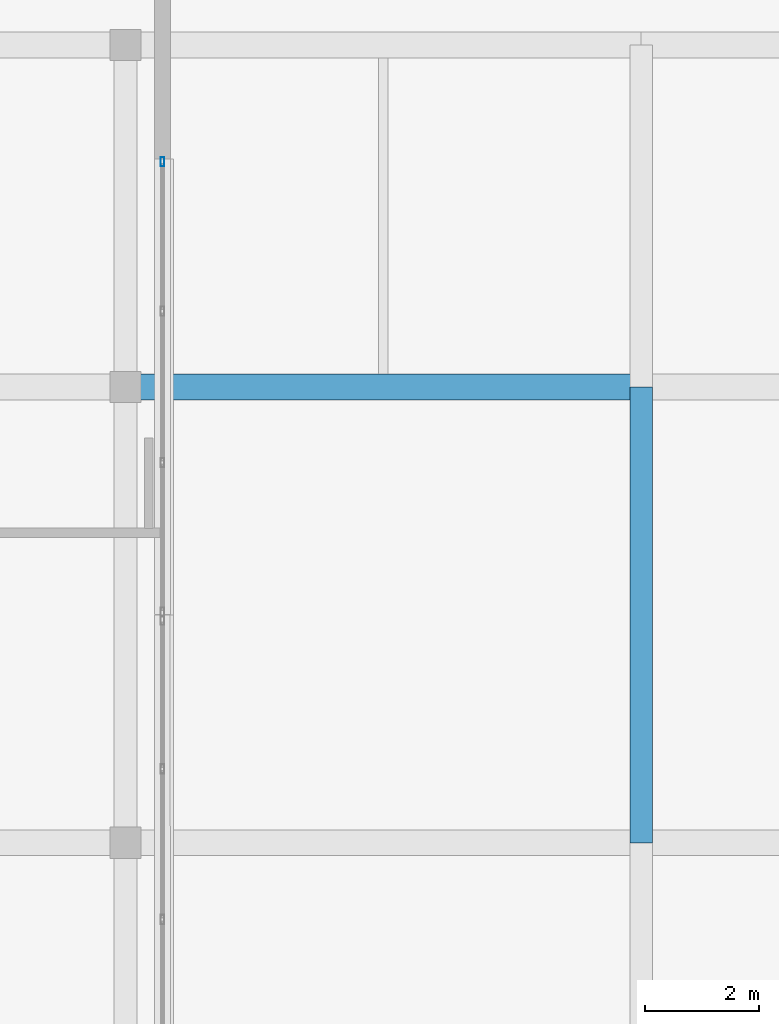
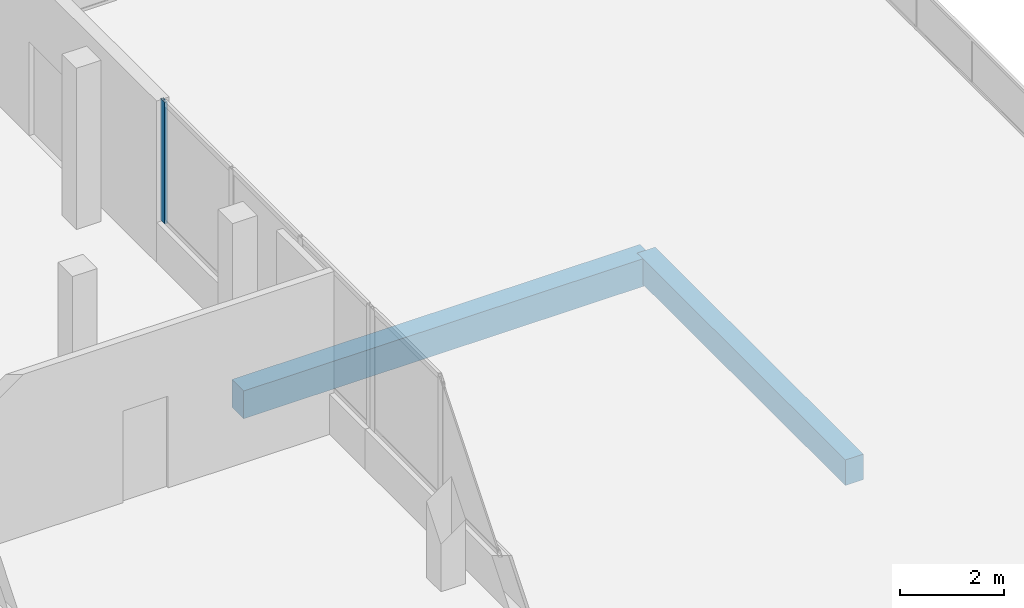
# One storey, part 47 of 66: 2 beams, 1 member, 1 element without a shape of its own.
"""IFC4 building model written with IfcOpenShell, lengths in metres."""

from ifc_helpers import new_model, si_unit, direction, frame, origin, origin_2d, place, context, subcontext, project, spatial, rectangle, hollow_rectangle, extrude, material, material_profile, profile_set, type_object, element, aggregate, save


model = new_model("IFC4")

# Units and contexts
model_context = context("Model", 3, precision=1e-05, world=origin(), true_north=direction((0.0, 1.0)))
body_context = subcontext(model_context, "Body", "Model", "MODEL_VIEW")
ifc_project = project(units=[si_unit("LENGTHUNIT", "METRE"), si_unit("AREAUNIT", "SQUARE_METRE"), si_unit("VOLUMEUNIT", "CUBIC_METRE"), si_unit("PLANEANGLEUNIT", "RADIAN"), si_unit("MASSUNIT", "GRAM", prefix="KILO")], contexts=[model_context])

# Site, building, storey
site_placement = place(None, origin())
site = spatial("IfcSite", under=ifc_project, at=site_placement, CompositionType="ELEMENT")
building_placement = place(site_placement, origin())
building = spatial("IfcBuilding", under=site, at=building_placement, Name="Selatvlak General Hospital", CompositionType="ELEMENT")
storey_placement = place(building_placement, frame((0.0, 0.0, 31.35009765625)))
storey = spatial("IfcBuildingStorey", under=building, at=storey_placement, Name="L07", CompositionType="ELEMENT", Elevation=31.35009765625)

# Beams
ifc_material_1 = material(Name="Concrete C40/50", Category="concrete")
ifc_material_profile_1 = material_profile(ifc_material_1, rectangle(XDim=0.449951171875, YDim=0.64990234375, at=origin_2d()), Name="RC-BM 450x650")
ifc_profile_set_1 = profile_set([ifc_material_profile_1], Name="Concrete C40/50")
beam_type_1 = type_object("IfcBeamType", Name="BM-G04", PredefinedType="BEAM", material=ifc_profile_set_1)
beam_1_placement = place(storey_placement, frame((164.949951171875, 108.0, -0.59716796875), z_axis=(1.0, 0.0, 0.0), x_axis=(0.0, 1.0, 0.0)))
element("IfcBeam", 1, at=beam_1_placement, inside=storey, type_object=beam_type_1, Name="Beam BMR-L07-2435", PredefinedType="BEAM", context=body_context, shape_type="SweptSolid", body=[
    extrude(rectangle(XDim=0.449951171875, YDim=0.64990234375, at=origin_2d()), origin(), (0.0, 0.0, 1.0), 9.050048828125),
])
ifc_material_profile_2 = material_profile(ifc_material_1, rectangle(XDim=0.39990234375, YDim=0.60009765625, at=origin_2d()), Name="RC-BM 400x600")
ifc_profile_set_2 = profile_set([ifc_material_profile_2], Name="Concrete C40/50")
beam_type_2 = type_object("IfcBeamType", Name="BM-G05", PredefinedType="BEAM", material=ifc_profile_set_2)
beam_2_placement = place(storey_placement, frame((174.0, 100.0, -0.572021484375), z_axis=(0.0, 1.0, 0.0), x_axis=(-1.0, 0.0, 0.0)))
element("IfcBeam", 2, at=beam_2_placement, inside=storey, type_object=beam_type_2, Name="Beam BMR-L07-2542", PredefinedType="BEAM", context=body_context, shape_type="SweptSolid", body=[
    extrude(rectangle(XDim=0.39990234375, YDim=0.60009765625, at=origin_2d()), origin(), (0.0, 0.0, 1.0), 8.0),
])

# Curtain wall, member
ifc_material_2 = material(Name="Solar-control Low-E double glazing", Category="glass")
curtain_wall_type = type_object("IfcCurtainWallType", Name="CW-CW-02", PredefinedType="USERDEFINED", material=ifc_material_2)
curtain_wall_placement = place(storey_placement, origin())
curtain_wall = element("IfcCurtainWall", 3, at=curtain_wall_placement, inside=storey, type_object=curtain_wall_type, Name="Glazed facade curtain wall CW-L07-0660", ObjectType="UNITISED CURTAIN WALL", PredefinedType="USERDEFINED")
ifc_material_3 = material(Name="Dark anodised aluminium mullion", Category="aluminium")
ifc_material_profile_3 = material_profile(ifc_material_3, hollow_rectangle(XDim=0.06494140625, YDim=0.159912109375, WallThickness=0.00390625, at=origin_2d()), Name="AL-MUL 65x160x4")
ifc_profile_set_3 = profile_set([ifc_material_profile_3], Name="Dark anodised aluminium mullion")
member_type = type_object("IfcMemberType", Name="CWM-01", PredefinedType="MULLION", material=ifc_profile_set_3)
member_placement = place(storey_placement, frame((165.59912109375, 111.952392578125, 0.93994140625), z_axis=(0.0, 0.0, 1.0), x_axis=(1.0, 0.0, 0.0)))
member = element("IfcMember", 4, at=member_placement, type_object=member_type, Name="CW-02 mullion 1", PredefinedType="MULLION", context=body_context, shape_type="SweptSolid", body=[
    extrude(hollow_rectangle(XDim=0.06494140625, YDim=0.159912109375, WallThickness=0.00390625, at=origin_2d()), origin(), (0.0, 0.0, 1.0), 2.844970703125),
])
aggregate(curtain_wall, [member])

save(model, "model.ifc")
